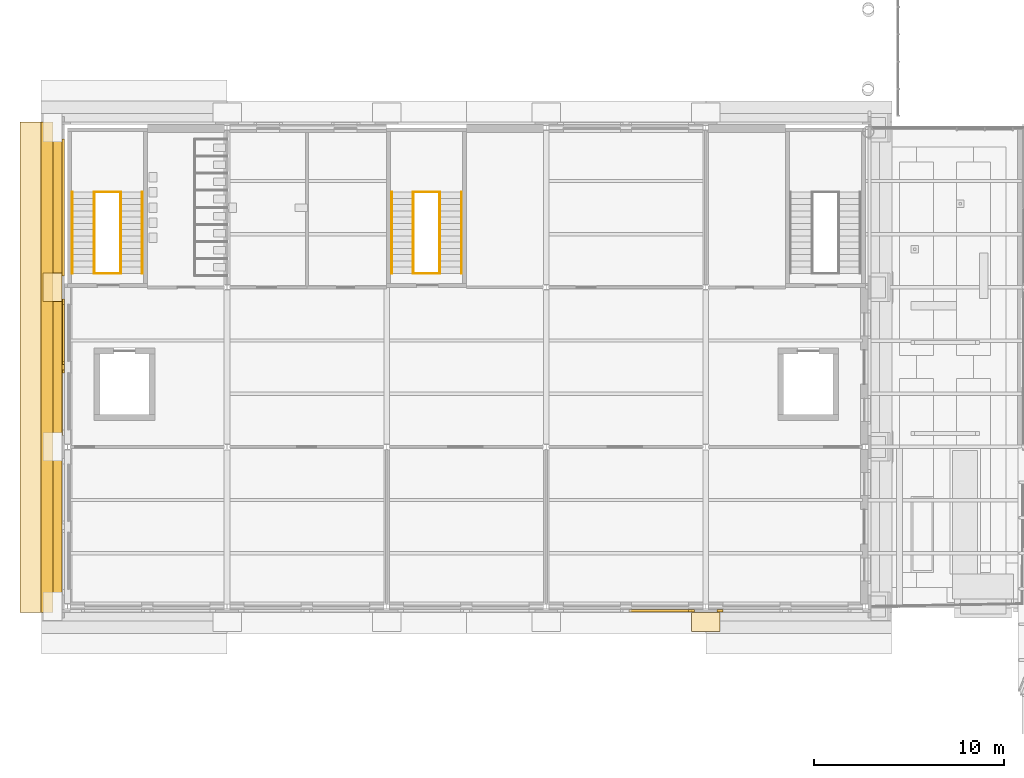
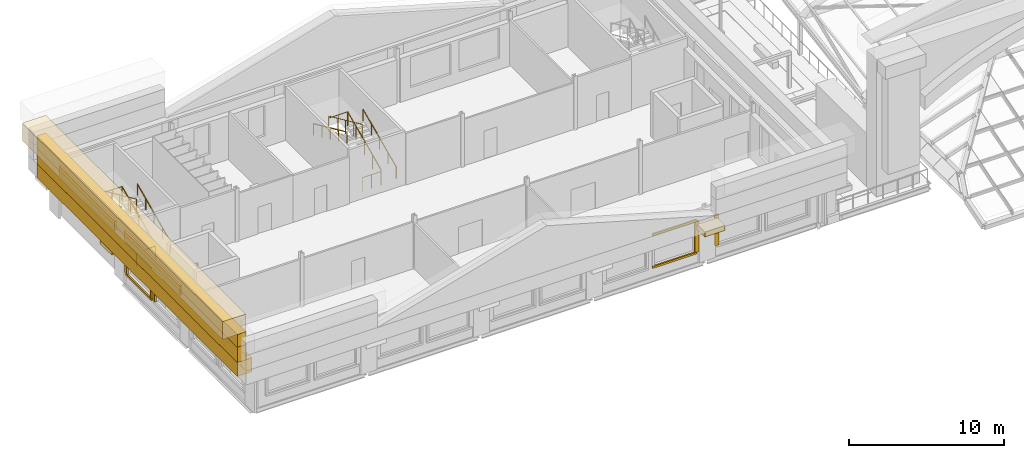
# One storey, part 54 of 76: 17 coverings, 12 railings.
"""IFC4 building model written with IfcOpenShell, lengths in metres."""

from ifc_helpers import new_model, si_unit, direction, frame, origin, origin_2d, place, context, subcontext, project, spatial, polyline, rectangle, circle, outline, extrude, material, layer, layer_set, type_object, element, save


model = new_model("IFC4")

# Units and contexts
model_context = context("Model", 3, precision=1e-05, world=origin(), true_north=direction((0.0, 1.0)))
body_context = subcontext(model_context, "Body", "Model", "MODEL_VIEW")
ifc_project = project(units=[si_unit("LENGTHUNIT", "METRE"), si_unit("AREAUNIT", "SQUARE_METRE"), si_unit("VOLUMEUNIT", "CUBIC_METRE"), si_unit("PLANEANGLEUNIT", "RADIAN"), si_unit("MASSUNIT", "GRAM", prefix="KILO")], contexts=[model_context])

# Site, building, storey
site_placement = place(None, origin())
site = spatial("IfcSite", under=ifc_project, at=site_placement, CompositionType="ELEMENT")
building_placement = place(site_placement, origin())
building = spatial("IfcBuilding", under=site, at=building_placement, Name="Sava Quay Ferry Terminal", CompositionType="ELEMENT")
storey_placement = place(building_placement, frame((0.0, 0.0, 10.800048828125)))
storey = spatial("IfcBuildingStorey", under=building, at=storey_placement, Name="L02", CompositionType="ELEMENT", Elevation=10.800048828125)

# Coverings
ifc_material_1 = material(Name="Limestone Mutalj", Category="masonry")
ifc_layer_1 = layer(ifc_material_1, 1.75)
ifc_layer_set_1 = layer_set([ifc_layer_1], Name="Limestone Mutalj")
covering_type_1 = type_object("IfcCoveringType", Name="Attic crown cornice 1400", PredefinedType="MOLDING", material=ifc_layer_set_1)
covering_1_placement = place(storey_placement, frame((-1.625, 37.800048828125, 6.39990234375), z_axis=(0.0, 0.0, 1.0), x_axis=(1.0, 0.0, 0.0)))
element("IfcCovering", 1, at=covering_1_placement, inside=storey, type_object=covering_type_1, Name="Attic crown cornice", PredefinedType="MOLDING", context=body_context, shape_type="SweptSolid", body=[
    extrude(rectangle(XDim=1.75, YDim=25.820068359375, at=origin_2d()), origin(), (0.0, 0.0, 1.0), 1.39990234375),
])
ifc_material_2 = material(Name="Limestone Mutalj", Category="masonry")
ifc_layer_2 = layer(ifc_material_2, 0.64990234375)
ifc_layer_set_2 = layer_set([ifc_layer_2], Name="Limestone Mutalj")
covering_type_2 = type_object("IfcCoveringType", Name="Attic frieze 1000", PredefinedType="CLADDING", material=ifc_layer_set_2)
covering_2_placement = place(storey_placement, frame((-1.074951171875, 37.800048828125, 5.39990234375), z_axis=(0.0, 0.0, 1.0), x_axis=(1.0, 0.0, 0.0)))
element("IfcCovering", 2, at=covering_2_placement, inside=storey, type_object=covering_type_2, Name="Attic frieze", PredefinedType="CLADDING", context=body_context, shape_type="SweptSolid", body=[
    extrude(rectangle(XDim=0.64990234375, YDim=25.820068359375, at=origin_2d()), origin(), (0.0, 0.0, 1.0), 1.0),
])
ifc_material_3 = material(Name="Limestone Mutalj", Category="masonry")
ifc_layer_3 = layer(ifc_material_3, 0.64990234375)
ifc_layer_set_3 = layer_set([ifc_layer_3], Name="Limestone Mutalj")
covering_type_3 = type_object("IfcCoveringType", Name="Attic parapet 650", PredefinedType="MOLDING", material=ifc_layer_set_3)
covering_3_placement = place(storey_placement, frame((-1.074951171875, 37.800048828125, 4.2001953125), z_axis=(0.0, 0.0, 1.0), x_axis=(1.0, 0.0, 0.0)))
element("IfcCovering", 3, at=covering_3_placement, inside=storey, type_object=covering_type_3, Name="Attic parapet W W", PredefinedType="MOLDING", context=body_context, shape_type="SweptSolid", body=[
    extrude(rectangle(XDim=0.64990234375, YDim=25.820068359375, at=origin_2d()), origin(), (0.0, 0.0, 1.0), 1.199951171875),
])
ifc_material_4 = material(Name="Limestone Mutalj", Category="masonry")
ifc_layer_4 = layer(ifc_material_4, 1.10009765625)
ifc_layer_set_4 = layer_set([ifc_layer_4], Name="Limestone Mutalj")
covering_type_4 = type_object("IfcCoveringType", Name="Eaves cornice 1100", PredefinedType="MOLDING", material=ifc_layer_set_4)
covering_4_placement = place(storey_placement, frame((-0.85009765625, 37.800048828125, 3.099853515625), z_axis=(0.0, 0.0, 1.0), x_axis=(1.0, 0.0, 0.0)))
element("IfcCovering", 4, at=covering_4_placement, inside=storey, type_object=covering_type_4, Name="Eaves cornice W W", PredefinedType="MOLDING", context=body_context, shape_type="SweptSolid", body=[
    extrude(rectangle(XDim=1.10009765625, YDim=25.820068359375, at=origin_2d()), origin(), (0.0, 0.0, 1.0), 1.10009765625),
])

# Railings
ifc_material_5 = material(Name="Steel S355", Category="steel")
railing_type_1 = type_object("IfcRailingType", Name="Guard 1100", PredefinedType="GUARDRAIL", material=ifc_material_5)
railing_1_placement = place(storey_placement, frame((1.39990234375, 42.72998046875, 0.0)))
element("IfcRailing", 5, at=railing_1_placement, inside=storey, type_object=railing_type_1, Name="Guard at stair well ST-W1 L02", PredefinedType="GUARDRAIL", context=body_context, shape_type="SweptSolid", body=[
    extrude(circle(Radius=0.02392578125, at=origin_2d()), frame((0.0, 0.0, 1.076171875), z_axis=(1.0, 0.0, 0.0), x_axis=(0.0, 1.0, 0.0)), (0.0, 0.0, 1.0), 1.400146484375),
    extrude(circle(Radius=0.02099609375, at=origin_2d()), origin(), (0.0, 0.0, 1.0), 1.052001953125),
    extrude(circle(Radius=0.02099609375, at=origin_2d()), frame((0.7001953125, 0.0, 0.0)), (0.0, 0.0, 1.0), 1.052001953125),
    extrude(circle(Radius=0.02099609375, at=origin_2d()), frame((1.400146484375, 0.0, 0.0)), (0.0, 0.0, 1.0), 1.052001953125),
])
railing_2_placement = place(storey_placement, frame((2.800048828125, 42.72998046875, 0.14990234375)))
element("IfcRailing", 6, at=railing_2_placement, inside=storey, type_object=railing_type_1, Name="Guard at stair well ST-W1 L02", PredefinedType="GUARDRAIL", context=body_context, shape_type="SweptSolid", body=[
    extrude(circle(Radius=0.02392578125, at=origin_2d()), frame((0.0, 0.0, 1.076171875), z_axis=(0.0, 0.910371800137, 0.413791234219), x_axis=(-1.0, 0.0, 0.0)), (0.0, 0.0, 1.0), 4.71240234375),
    extrude(circle(Radius=0.02099609375, at=origin_2d()), origin(), (0.0, 0.0, 1.0), 1.052001953125),
    extrude(circle(Radius=0.02099609375, at=origin_2d()), frame((0.0, 1.072509765625, 0.487548828125)), (0.0, 0.0, 1.0), 1.052001953125),
    extrude(circle(Radius=0.02099609375, at=origin_2d()), frame((0.0, 2.14501953125, 0.97509765625)), (0.0, 0.0, 1.0), 1.052001953125),
    extrude(circle(Radius=0.02099609375, at=origin_2d()), frame((0.0, 3.217529296875, 1.46240234375)), (0.0, 0.0, 1.0), 1.052001953125),
    extrude(circle(Radius=0.02099609375, at=origin_2d()), frame((0.0, 4.2900390625, 1.949951171875)), (0.0, 0.0, 1.0), 1.052001953125),
])
railing_3_placement = place(storey_placement, frame((1.39990234375, 47.02001953125, 2.25)))
element("IfcRailing", 7, at=railing_3_placement, inside=storey, type_object=railing_type_1, Name="Guard at stair well ST-W1 L02", PredefinedType="GUARDRAIL", context=body_context, shape_type="SweptSolid", body=[
    extrude(circle(Radius=0.02392578125, at=origin_2d()), frame((0.0, 0.0, 1.076171875), z_axis=(0.0, -0.910371800137, 0.413791234219), x_axis=(1.0, 0.0, 0.0)), (0.0, 0.0, 1.0), 4.71240234375),
    extrude(circle(Radius=0.02099609375, at=origin_2d()), origin(), (0.0, 0.0, 1.0), 1.052001953125),
    extrude(circle(Radius=0.02099609375, at=origin_2d()), frame((0.0, -1.072509765625, 0.487548828125)), (0.0, 0.0, 1.0), 1.052001953125),
    extrude(circle(Radius=0.02099609375, at=origin_2d()), frame((0.0, -2.14501953125, 0.97509765625)), (0.0, 0.0, 1.0), 1.052001953125),
    extrude(circle(Radius=0.02099609375, at=origin_2d()), frame((0.0, -3.217529296875, 1.46240234375)), (0.0, 0.0, 1.0), 1.052001953125),
    extrude(circle(Radius=0.02099609375, at=origin_2d()), frame((0.0, -4.2900390625, 1.949951171875)), (0.0, 0.0, 1.0), 1.052001953125),
])
for number, where, name in (
    (8, (1.39990234375, 47.02001953125, 2.099853515625), "Guard at half landing ST-W1 L02"),
    (9, (18.199951171875, 42.72998046875, 0.0), "Guard at stair well ST-W3 L02"),
):
    element("IfcRailing", number, at=place(storey_placement, frame(where)), inside=storey, type_object=railing_type_1, Name=name, PredefinedType="GUARDRAIL", context=body_context, shape_type="SweptSolid", body=[
        extrude(circle(Radius=0.02392578125, at=origin_2d()), frame((0.0, 0.0, 1.076171875), z_axis=(1.0, 0.0, 0.0), x_axis=(0.0, 1.0, 0.0)), (0.0, 0.0, 1.0), 1.400146484375),
        extrude(circle(Radius=0.02099609375, at=origin_2d()), origin(), (0.0, 0.0, 1.0), 1.052001953125),
        extrude(circle(Radius=0.02099609375, at=origin_2d()), frame((0.7001953125, 0.0, 0.0)), (0.0, 0.0, 1.0), 1.052001953125),
        extrude(circle(Radius=0.02099609375, at=origin_2d()), frame((1.400146484375, 0.0, 0.0)), (0.0, 0.0, 1.0), 1.052001953125),
    ])
railing_4_placement = place(storey_placement, frame((19.60009765625, 42.72998046875, 0.14990234375)))
element("IfcRailing", 10, at=railing_4_placement, inside=storey, type_object=railing_type_1, Name="Guard at stair well ST-W3 L02", PredefinedType="GUARDRAIL", context=body_context, shape_type="SweptSolid", body=[
    extrude(circle(Radius=0.02392578125, at=origin_2d()), frame((0.0, 0.0, 1.076171875), z_axis=(0.0, 0.910371800137, 0.413791234219), x_axis=(-1.0, 0.0, 0.0)), (0.0, 0.0, 1.0), 4.71240234375),
    extrude(circle(Radius=0.02099609375, at=origin_2d()), origin(), (0.0, 0.0, 1.0), 1.052001953125),
    extrude(circle(Radius=0.02099609375, at=origin_2d()), frame((0.0, 1.072509765625, 0.487548828125)), (0.0, 0.0, 1.0), 1.052001953125),
    extrude(circle(Radius=0.02099609375, at=origin_2d()), frame((0.0, 2.14501953125, 0.97509765625)), (0.0, 0.0, 1.0), 1.052001953125),
    extrude(circle(Radius=0.02099609375, at=origin_2d()), frame((0.0, 3.217529296875, 1.46240234375)), (0.0, 0.0, 1.0), 1.052001953125),
    extrude(circle(Radius=0.02099609375, at=origin_2d()), frame((0.0, 4.2900390625, 1.949951171875)), (0.0, 0.0, 1.0), 1.052001953125),
])
railing_5_placement = place(storey_placement, frame((18.199951171875, 47.02001953125, 2.25)))
element("IfcRailing", 11, at=railing_5_placement, inside=storey, type_object=railing_type_1, Name="Guard at stair well ST-W3 L02", PredefinedType="GUARDRAIL", context=body_context, shape_type="SweptSolid", body=[
    extrude(circle(Radius=0.02392578125, at=origin_2d()), frame((0.0, 0.0, 1.076171875), z_axis=(0.0, -0.910371800137, 0.413791234219), x_axis=(1.0, 0.0, 0.0)), (0.0, 0.0, 1.0), 4.71240234375),
    extrude(circle(Radius=0.02099609375, at=origin_2d()), origin(), (0.0, 0.0, 1.0), 1.052001953125),
    extrude(circle(Radius=0.02099609375, at=origin_2d()), frame((0.0, -1.072509765625, 0.487548828125)), (0.0, 0.0, 1.0), 1.052001953125),
    extrude(circle(Radius=0.02099609375, at=origin_2d()), frame((0.0, -2.14501953125, 0.97509765625)), (0.0, 0.0, 1.0), 1.052001953125),
    extrude(circle(Radius=0.02099609375, at=origin_2d()), frame((0.0, -3.217529296875, 1.46240234375)), (0.0, 0.0, 1.0), 1.052001953125),
    extrude(circle(Radius=0.02099609375, at=origin_2d()), frame((0.0, -4.2900390625, 1.949951171875)), (0.0, 0.0, 1.0), 1.052001953125),
])
railing_6_placement = place(storey_placement, frame((18.199951171875, 47.02001953125, 2.099853515625)))
element("IfcRailing", 12, at=railing_6_placement, inside=storey, type_object=railing_type_1, Name="Guard at half landing ST-W3 L02", PredefinedType="GUARDRAIL", context=body_context, shape_type="SweptSolid", body=[
    extrude(circle(Radius=0.02392578125, at=origin_2d()), frame((0.0, 0.0, 1.076171875), z_axis=(1.0, 0.0, 0.0), x_axis=(0.0, 1.0, 0.0)), (0.0, 0.0, 1.0), 1.400146484375),
    extrude(circle(Radius=0.02099609375, at=origin_2d()), origin(), (0.0, 0.0, 1.0), 1.052001953125),
    extrude(circle(Radius=0.02099609375, at=origin_2d()), frame((0.7001953125, 0.0, 0.0)), (0.0, 0.0, 1.0), 1.052001953125),
    extrude(circle(Radius=0.02099609375, at=origin_2d()), frame((1.400146484375, 0.0, 0.0)), (0.0, 0.0, 1.0), 1.052001953125),
])

# Coverings
ifc_material_6 = material(Name="Limestone Mutalj", Category="masonry")
ifc_layer_5 = layer(ifc_material_6, 0.14990234375)
ifc_layer_set_5 = layer_set([ifc_layer_5], Name="Limestone Mutalj")
covering_type_5 = type_object("IfcCoveringType", Name="Limestone string course 150", PredefinedType="CLADDING", material=ifc_layer_set_5)
covering_5_placement = place(storey_placement, frame((0.0, 0.0, 3.449951171875)))
element("IfcCovering", 13, at=covering_5_placement, inside=storey, type_object=covering_type_5, Name="String course W-W", PredefinedType="CLADDING", context=body_context, shape_type="SweptSolid", body=[
    extrude(outline(polyline([(-0.14990234375, 34.199951171875), (-0.14990234375, 41.39990234375), (-0.300048828125, 41.39990234375), (-0.300048828125, 34.199951171875), (-0.14990234375, 34.199951171875)])), origin(), (0.0, 0.0, 1.0), 0.75),
])
covering_6_placement = place(storey_placement, frame((0.0, 0.0, 3.449951171875)))
element("IfcCovering", 14, at=covering_6_placement, inside=storey, type_object=covering_type_5, Name="String course W-W", PredefinedType="CLADDING", context=body_context, shape_type="SweptSolid", body=[
    extrude(outline(polyline([(-0.14990234375, 42.60009765625), (-0.14990234375, 49.800048828125), (-0.300048828125, 49.800048828125), (-0.300048828125, 42.60009765625), (-0.14990234375, 42.60009765625)])), origin(), (0.0, 0.0, 1.0), 0.75),
])
ifc_material_7 = material(Name="Limestone Mutalj", Category="masonry")
ifc_layer_6 = layer(ifc_material_7, 1.0)
ifc_layer_set_6 = layer_set([ifc_layer_6], Name="Limestone Mutalj")
covering_type_6 = type_object("IfcCoveringType", Name="Pilaster capital block 1500", PredefinedType="MOLDING", material=ifc_layer_set_6)
covering_7_placement = place(storey_placement, frame((33.60009765625, 24.389892578125, 2.699951171875), z_axis=(0.0, 0.0, 1.0), x_axis=(1.0, 0.0, 0.0)))
element("IfcCovering", 15, at=covering_7_placement, inside=storey, type_object=covering_type_6, Name="Giant-order capital", PredefinedType="MOLDING", context=body_context, shape_type="SweptSolid", body=[
    extrude(rectangle(XDim=1.5, YDim=1.0, at=origin_2d()), origin(), (0.0, 0.0, 1.0), 0.39990234375),
])
covering_8_placement = place(storey_placement, frame((-0.800048828125, 42.0, 2.699951171875), z_axis=(0.0, 0.0, 1.0), x_axis=(1.0, 0.0, 0.0)))
element("IfcCovering", 16, at=covering_8_placement, inside=storey, type_object=covering_type_6, Name="Giant-order capital", PredefinedType="MOLDING", context=body_context, shape_type="SweptSolid", body=[
    extrude(rectangle(XDim=1.0, YDim=1.5, at=origin_2d()), origin(), (0.0, 0.0, 1.0), 0.39990234375),
])
ifc_material_8 = material(Name="Limestone Mutalj", Category="masonry")
ifc_layer_7 = layer(ifc_material_8, 0.1201171875)
ifc_layer_set_7 = layer_set([ifc_layer_7], Name="Limestone Mutalj")
covering_type_7 = type_object("IfcCoveringType", Name="Plain window architrave 150", PredefinedType="MOLDING", material=ifc_layer_set_7)
covering_9_placement = place(storey_placement, frame((32.85009765625, 24.97998046875, 0.89990234375), z_axis=(0.0, 0.0, 1.0), x_axis=(1.0, 0.0, 0.0)))
element("IfcCovering", 17, at=covering_9_placement, inside=storey, type_object=covering_type_7, Name="Plain window architrave", PredefinedType="MOLDING", context=body_context, shape_type="SweptSolid", body=[
    extrude(rectangle(XDim=0.300048828125, YDim=0.1201171875, at=origin_2d()), origin(), (0.0, 0.0, 1.0), 2.39990234375),
])
for number, where, z_axis, x_axis, name in (
    (18, (31.199951171875, 24.97998046875, 3.300048828125), (0.0, 0.0, 1.0), (1.0, 0.0, 0.0), "Plain window architrave"),
    (19, (31.199951171875, 24.97998046875, 0.75), (0.0, 0.0, 1.0), (1.0, 0.0, 0.0), "Plain window architrave"),
):
    element("IfcCovering", number, at=place(storey_placement, frame(where, z_axis=z_axis, x_axis=x_axis)), inside=storey, type_object=covering_type_7, Name=name, PredefinedType="MOLDING", context=body_context, shape_type="SweptSolid", body=[
        extrude(rectangle(XDim=3.300048828125, YDim=0.1201171875, at=origin_2d()), origin(), (0.0, 0.0, 1.0), 0.14990234375),
    ])
covering_10_placement = place(storey_placement, frame((34.35009765625, 24.97998046875, 0.89990234375), z_axis=(0.0, 0.0, 1.0), x_axis=(1.0, 0.0, 0.0)))
element("IfcCovering", 20, at=covering_10_placement, inside=storey, type_object=covering_type_7, Name="Plain window architrave", PredefinedType="MOLDING", context=body_context, shape_type="SweptSolid", body=[
    extrude(rectangle(XDim=0.300048828125, YDim=0.1201171875, at=origin_2d()), origin(), (0.0, 0.0, 1.0), 2.39990234375),
])
for number, where, z_axis, x_axis, name in (
    (21, (-0.2099609375, 37.574951171875, 0.89990234375), (0.0, 0.0, 1.0), (1.0, 0.0, 0.0), "Plain window architrave"),
    (22, (-0.2099609375, 38.02490234375, 0.89990234375), (0.0, 0.0, 1.0), (1.0, 0.0, 0.0), "Plain window architrave"),
):
    element("IfcCovering", number, at=place(storey_placement, frame(where, z_axis=z_axis, x_axis=x_axis)), inside=storey, type_object=covering_type_7, Name=name, PredefinedType="MOLDING", context=body_context, shape_type="SweptSolid", body=[
        extrude(rectangle(XDim=0.1201171875, YDim=0.14990234375, at=origin_2d()), origin(), (0.0, 0.0, 1.0), 2.39990234375),
    ])
covering_11_placement = place(storey_placement, frame((-0.2099609375, 41.25, 0.89990234375), z_axis=(0.0, 0.0, 1.0), x_axis=(1.0, 0.0, 0.0)))
element("IfcCovering", 23, at=covering_11_placement, inside=storey, type_object=covering_type_7, Name="Plain window architrave", PredefinedType="MOLDING", context=body_context, shape_type="SweptSolid", body=[
    extrude(rectangle(XDim=0.1201171875, YDim=0.300048828125, at=origin_2d()), origin(), (0.0, 0.0, 1.0), 2.39990234375),
])
for number, where, z_axis, x_axis, name in (
    (24, (-0.2099609375, 39.60009765625, 3.300048828125), (0.0, 0.0, 1.0), (1.0, 0.0, 0.0), "Plain window architrave"),
    (25, (-0.2099609375, 39.60009765625, 0.75), (0.0, 0.0, 1.0), (1.0, 0.0, 0.0), "Plain window architrave"),
):
    element("IfcCovering", number, at=place(storey_placement, frame(where, z_axis=z_axis, x_axis=x_axis)), inside=storey, type_object=covering_type_7, Name=name, PredefinedType="MOLDING", context=body_context, shape_type="SweptSolid", body=[
        extrude(rectangle(XDim=0.1201171875, YDim=3.300048828125, at=origin_2d()), origin(), (0.0, 0.0, 1.0), 0.14990234375),
    ])

# Railings
ifc_material_9 = material(Name="Steel S355", Category="steel")
railing_type_2 = type_object("IfcRailingType", Name="Stair handrail 900", PredefinedType="HANDRAIL", material=ifc_material_9)
railing_7_placement = place(storey_placement, frame((3.93994140625, 42.72998046875, 0.14990234375)))
element("IfcRailing", 26, at=railing_7_placement, inside=storey, type_object=railing_type_2, Name="Handrail ST-W1 L02", PredefinedType="HANDRAIL", context=body_context, shape_type="SweptSolid", body=[
    extrude(circle(Radius=0.02392578125, at=origin_2d()), frame((0.0, 0.0, 0.8759765625), z_axis=(0.0, 0.910371800137, 0.413791234219), x_axis=(-1.0, 0.0, 0.0)), (0.0, 0.0, 1.0), 4.71240234375),
    extrude(circle(Radius=0.02099609375, at=origin_2d()), origin(), (0.0, 0.0, 1.0), 0.851806640625),
    extrude(circle(Radius=0.02099609375, at=origin_2d()), frame((0.0, 1.072509765625, 0.487548828125)), (0.0, 0.0, 1.0), 0.851806640625),
    extrude(circle(Radius=0.02099609375, at=origin_2d()), frame((0.0, 2.14501953125, 0.97509765625)), (0.0, 0.0, 1.0), 0.851806640625),
    extrude(circle(Radius=0.02099609375, at=origin_2d()), frame((0.0, 3.217529296875, 1.46240234375)), (0.0, 0.0, 1.0), 0.851806640625),
    extrude(circle(Radius=0.02099609375, at=origin_2d()), frame((0.0, 4.2900390625, 1.949951171875)), (0.0, 0.0, 1.0), 0.851806640625),
])
railing_8_placement = place(storey_placement, frame((0.260009765625, 47.02001953125, 2.25)))
element("IfcRailing", 27, at=railing_8_placement, inside=storey, type_object=railing_type_2, Name="Handrail ST-W1 L02", PredefinedType="HANDRAIL", context=body_context, shape_type="SweptSolid", body=[
    extrude(circle(Radius=0.02392578125, at=origin_2d()), frame((0.0, 0.0, 0.8759765625), z_axis=(0.0, -0.910371800137, 0.413791234219), x_axis=(1.0, 0.0, 0.0)), (0.0, 0.0, 1.0), 4.71240234375),
    extrude(circle(Radius=0.02099609375, at=origin_2d()), origin(), (0.0, 0.0, 1.0), 0.851806640625),
    extrude(circle(Radius=0.02099609375, at=origin_2d()), frame((0.0, -1.072509765625, 0.487548828125)), (0.0, 0.0, 1.0), 0.851806640625),
    extrude(circle(Radius=0.02099609375, at=origin_2d()), frame((0.0, -2.14501953125, 0.97509765625)), (0.0, 0.0, 1.0), 0.851806640625),
    extrude(circle(Radius=0.02099609375, at=origin_2d()), frame((0.0, -3.217529296875, 1.46240234375)), (0.0, 0.0, 1.0), 0.851806640625),
    extrude(circle(Radius=0.02099609375, at=origin_2d()), frame((0.0, -4.2900390625, 1.949951171875)), (0.0, 0.0, 1.0), 0.851806640625),
])
railing_9_placement = place(storey_placement, frame((20.739990234375, 42.72998046875, 0.14990234375)))
element("IfcRailing", 28, at=railing_9_placement, inside=storey, type_object=railing_type_2, Name="Handrail ST-W3 L02", PredefinedType="HANDRAIL", context=body_context, shape_type="SweptSolid", body=[
    extrude(circle(Radius=0.02392578125, at=origin_2d()), frame((0.0, 0.0, 0.8759765625), z_axis=(0.0, 0.910371800137, 0.413791234219), x_axis=(-1.0, 0.0, 0.0)), (0.0, 0.0, 1.0), 4.71240234375),
    extrude(circle(Radius=0.02099609375, at=origin_2d()), origin(), (0.0, 0.0, 1.0), 0.851806640625),
    extrude(circle(Radius=0.02099609375, at=origin_2d()), frame((0.0, 1.072509765625, 0.487548828125)), (0.0, 0.0, 1.0), 0.851806640625),
    extrude(circle(Radius=0.02099609375, at=origin_2d()), frame((0.0, 2.14501953125, 0.97509765625)), (0.0, 0.0, 1.0), 0.851806640625),
    extrude(circle(Radius=0.02099609375, at=origin_2d()), frame((0.0, 3.217529296875, 1.46240234375)), (0.0, 0.0, 1.0), 0.851806640625),
    extrude(circle(Radius=0.02099609375, at=origin_2d()), frame((0.0, 4.2900390625, 1.949951171875)), (0.0, 0.0, 1.0), 0.851806640625),
])
railing_10_placement = place(storey_placement, frame((17.06005859375, 47.02001953125, 2.25)))
element("IfcRailing", 29, at=railing_10_placement, inside=storey, type_object=railing_type_2, Name="Handrail ST-W3 L02", PredefinedType="HANDRAIL", context=body_context, shape_type="SweptSolid", body=[
    extrude(circle(Radius=0.02392578125, at=origin_2d()), frame((0.0, 0.0, 0.8759765625), z_axis=(0.0, -0.910371800137, 0.413791234219), x_axis=(1.0, 0.0, 0.0)), (0.0, 0.0, 1.0), 4.71240234375),
    extrude(circle(Radius=0.02099609375, at=origin_2d()), origin(), (0.0, 0.0, 1.0), 0.851806640625),
    extrude(circle(Radius=0.02099609375, at=origin_2d()), frame((0.0, -1.072509765625, 0.487548828125)), (0.0, 0.0, 1.0), 0.851806640625),
    extrude(circle(Radius=0.02099609375, at=origin_2d()), frame((0.0, -2.14501953125, 0.97509765625)), (0.0, 0.0, 1.0), 0.851806640625),
    extrude(circle(Radius=0.02099609375, at=origin_2d()), frame((0.0, -3.217529296875, 1.46240234375)), (0.0, 0.0, 1.0), 0.851806640625),
    extrude(circle(Radius=0.02099609375, at=origin_2d()), frame((0.0, -4.2900390625, 1.949951171875)), (0.0, 0.0, 1.0), 0.851806640625),
])

save(model, "model.ifc")
